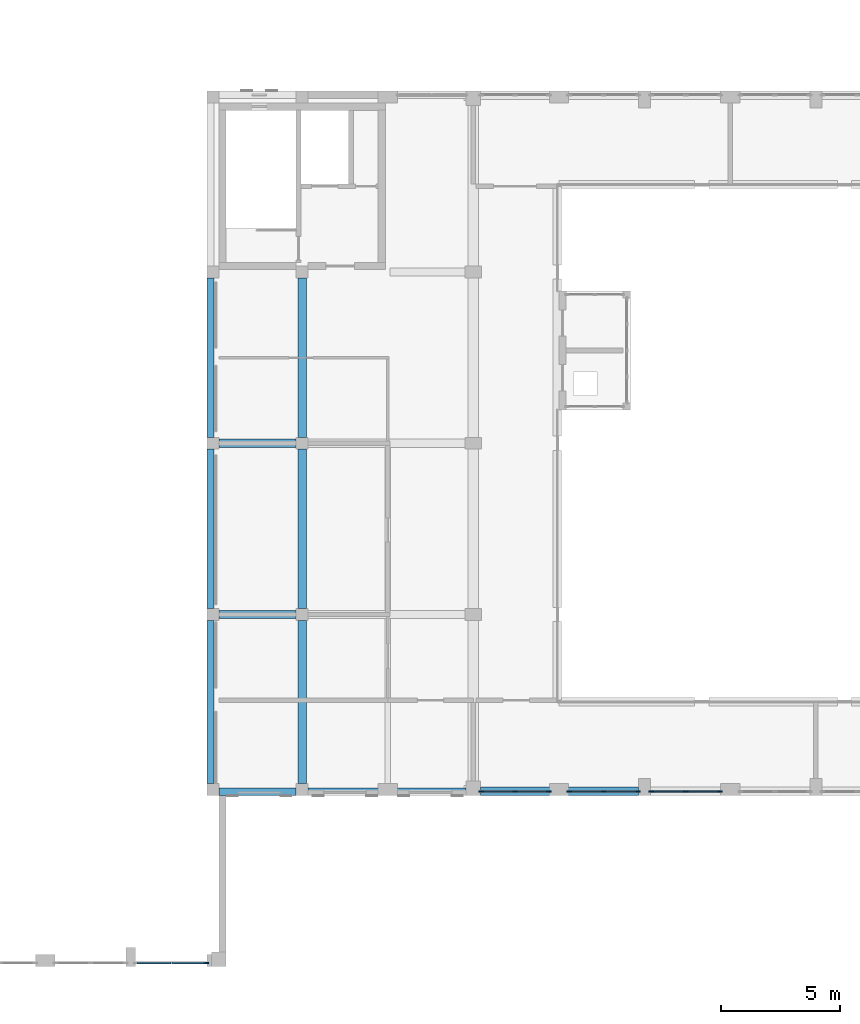
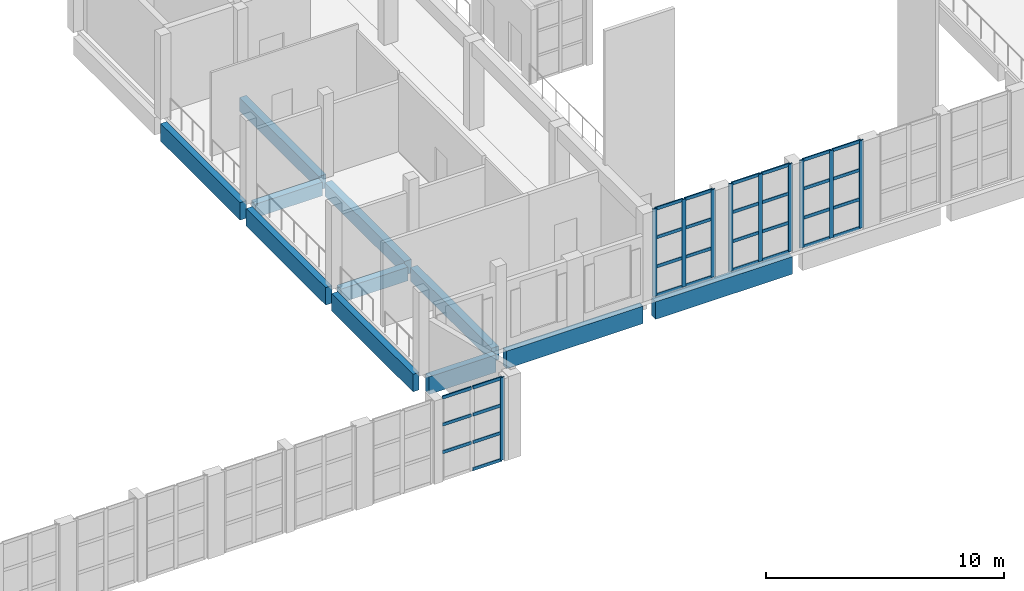
# One storey, part 4 of 54: 41 members, 11 beams, 4 elements without a shape of their own.
"""IFC4 building model written with IfcOpenShell, lengths in metres."""

from ifc_helpers import new_model, si_unit, direction, frame, origin, origin_2d, place, context, subcontext, project, spatial, rectangle, extrude, material, layer, layer_set, material_profile, profile_set, type_object, element, aggregate, save


model = new_model("IFC4")

# Units and contexts
model_context = context("Model", 3, precision=1e-05, world=origin(), true_north=direction((0.0, 1.0)))
body_context = subcontext(model_context, "Body", "Model", "MODEL_VIEW")
ifc_project = project(units=[si_unit("LENGTHUNIT", "METRE"), si_unit("AREAUNIT", "SQUARE_METRE"), si_unit("VOLUMEUNIT", "CUBIC_METRE"), si_unit("PLANEANGLEUNIT", "RADIAN"), si_unit("MASSUNIT", "GRAM", prefix="KILO")], contexts=[model_context])

# Site, building, storey
site_placement = place(None, origin())
site = spatial("IfcSite", under=ifc_project, at=site_placement, CompositionType="ELEMENT")
building_placement = place(site_placement, origin())
building = spatial("IfcBuilding", under=site, at=building_placement, Name="Ussher Court Research Institute", CompositionType="ELEMENT")
storey_placement = place(building_placement, frame((0.0, 0.0, 14.39990234375)))
storey = spatial("IfcBuildingStorey", under=building, at=storey_placement, Name="L03", CompositionType="ELEMENT", Elevation=14.39990234375)

# Curtain wall, member
ifc_material_1 = material(Name="Bronze anodised aluminium with low-e glass", Category="aluminium")
ifc_layer_1 = layer(ifc_material_1, 0.159912109375)
ifc_layer_set_1 = layer_set([ifc_layer_1], Name="Bronze anodised aluminium with low-e glass")
curtain_wall_type_1 = type_object("IfcCurtainWallType", Name="Curtain wall lecture theatre gable glazing", PredefinedType="NOTDEFINED", material=ifc_layer_set_1)
curtain_wall_1_placement = place(storey_placement, origin())
curtain_wall_1 = element("IfcCurtainWall", 1, at=curtain_wall_1_placement, inside=storey, type_object=curtain_wall_type_1, Name="Curtain wall CW5 L03", PredefinedType="NOTDEFINED")
ifc_material_2 = material(Name="Bronze anodised aluminium", Category="aluminium")
ifc_material_profile_1 = material_profile(ifc_material_2, rectangle(XDim=0.06005859375, YDim=0.199951171875, at=origin_2d()), Name="Mullion 60x200")
ifc_profile_set_1 = profile_set([ifc_material_profile_1], Name="Bronze anodised aluminium")
member_type_1 = type_object("IfcMemberType", Name="Mullion 60x200", PredefinedType="MULLION", material=ifc_profile_set_1)
member_1_placement = place(storey_placement, frame((27.77001953125, 3.75, 0.0), z_axis=(0.0, 0.0, 1.0), x_axis=(0.0, -1.0, 0.0)))
member_1 = element("IfcMember", 2, at=member_1_placement, type_object=member_type_1, Name="CW5 mullion 1", PredefinedType="MULLION", context=body_context, shape_type="SweptSolid", body=[
    extrude(rectangle(XDim=0.06005859375, YDim=0.199951171875, at=origin_2d()), origin(), (0.0, 0.0, 1.0), 4.25),
])

# Curtain wall, members
ifc_material_3 = material(Name="Bronze anodised aluminium with low-e glass", Category="aluminium")
ifc_layer_2 = layer(ifc_material_3, 0.159912109375)
ifc_layer_set_2 = layer_set([ifc_layer_2], Name="Bronze anodised aluminium with low-e glass")
curtain_wall_type_2 = type_object("IfcCurtainWallType", Name="Curtain wall atrium clerestory tall glazing", PredefinedType="NOTDEFINED", material=ifc_layer_set_2)
curtain_wall_2_placement = place(storey_placement, origin())
curtain_wall_2 = element("IfcCurtainWall", 3, at=curtain_wall_2_placement, inside=storey, type_object=curtain_wall_type_2, Name="Curtain wall CW3 L03", PredefinedType="NOTDEFINED")
member_2_placement = place(storey_placement, frame((49.3701171875, 10.949951171875, 0.0), z_axis=(0.0, 0.0, 1.0), x_axis=(0.0, -1.0, 0.0)))
member_2 = element("IfcMember", 4, at=member_2_placement, type_object=member_type_1, Name="CW3 mullion 1", PredefinedType="MULLION", context=body_context, shape_type="SweptSolid", body=[
    extrude(rectangle(XDim=0.06005859375, YDim=0.199951171875, at=origin_2d()), origin(), (0.0, 0.0, 1.0), 4.5),
])
member_3_placement = place(storey_placement, frame((47.925048828125, 10.949951171875, 0.0), z_axis=(0.0, 0.0, 1.0), x_axis=(0.0, -1.0, 0.0)))
member_3 = element("IfcMember", 5, at=member_3_placement, type_object=member_type_1, Name="CW3 mullion 2", PredefinedType="MULLION", context=body_context, shape_type="SweptSolid", body=[
    extrude(rectangle(XDim=0.06005859375, YDim=0.199951171875, at=origin_2d()), origin(), (0.0, 0.0, 1.0), 4.5),
])
member_4_placement = place(storey_placement, frame((46.47998046875, 10.949951171875, 0.0), z_axis=(0.0, 0.0, 1.0), x_axis=(0.0, -1.0, 0.0)))
member_4 = element("IfcMember", 6, at=member_4_placement, type_object=member_type_1, Name="CW3 mullion 3", PredefinedType="MULLION", context=body_context, shape_type="SweptSolid", body=[
    extrude(rectangle(XDim=0.06005859375, YDim=0.199951171875, at=origin_2d()), origin(), (0.0, 0.0, 1.0), 4.5),
])

curtain_wall_3_placement = place(storey_placement, origin())
curtain_wall_3 = element("IfcCurtainWall", 7, at=curtain_wall_3_placement, inside=storey, type_object=curtain_wall_type_2, Name="Curtain wall CW3 L03", PredefinedType="NOTDEFINED")
member_5_placement = place(storey_placement, frame((45.919921875, 10.949951171875, 0.0), z_axis=(0.0, 0.0, 1.0), x_axis=(0.0, -1.0, 0.0)))
member_5 = element("IfcMember", 8, at=member_5_placement, type_object=member_type_1, Name="CW3 mullion 1", PredefinedType="MULLION", context=body_context, shape_type="SweptSolid", body=[
    extrude(rectangle(XDim=0.06005859375, YDim=0.199951171875, at=origin_2d()), origin(), (0.0, 0.0, 1.0), 4.5),
])
member_6_placement = place(storey_placement, frame((44.47509765625, 10.949951171875, 0.0), z_axis=(0.0, 0.0, 1.0), x_axis=(0.0, -1.0, 0.0)))
member_6 = element("IfcMember", 9, at=member_6_placement, type_object=member_type_1, Name="CW3 mullion 2", PredefinedType="MULLION", context=body_context, shape_type="SweptSolid", body=[
    extrude(rectangle(XDim=0.06005859375, YDim=0.199951171875, at=origin_2d()), origin(), (0.0, 0.0, 1.0), 4.5),
])
member_7_placement = place(storey_placement, frame((43.030029296875, 10.949951171875, 0.0), z_axis=(0.0, 0.0, 1.0), x_axis=(0.0, -1.0, 0.0)))
member_7 = element("IfcMember", 10, at=member_7_placement, type_object=member_type_1, Name="CW3 mullion 3", PredefinedType="MULLION", context=body_context, shape_type="SweptSolid", body=[
    extrude(rectangle(XDim=0.06005859375, YDim=0.199951171875, at=origin_2d()), origin(), (0.0, 0.0, 1.0), 4.5),
])

curtain_wall_4_placement = place(storey_placement, origin())
curtain_wall_4 = element("IfcCurtainWall", 11, at=curtain_wall_4_placement, inside=storey, type_object=curtain_wall_type_2, Name="Curtain wall CW3 L03", PredefinedType="NOTDEFINED")
member_8_placement = place(storey_placement, frame((42.169921875, 10.949951171875, 0.0), z_axis=(0.0, 0.0, 1.0), x_axis=(0.0, -1.0, 0.0)))
member_8 = element("IfcMember", 12, at=member_8_placement, type_object=member_type_1, Name="CW3 mullion 1", PredefinedType="MULLION", context=body_context, shape_type="SweptSolid", body=[
    extrude(rectangle(XDim=0.06005859375, YDim=0.199951171875, at=origin_2d()), origin(), (0.0, 0.0, 1.0), 4.5),
])
member_9_placement = place(storey_placement, frame((40.75, 10.949951171875, 0.0), z_axis=(0.0, 0.0, 1.0), x_axis=(0.0, -1.0, 0.0)))
member_9 = element("IfcMember", 13, at=member_9_placement, type_object=member_type_1, Name="CW3 mullion 2", PredefinedType="MULLION", context=body_context, shape_type="SweptSolid", body=[
    extrude(rectangle(XDim=0.06005859375, YDim=0.199951171875, at=origin_2d()), origin(), (0.0, 0.0, 1.0), 4.5),
])
member_10_placement = place(storey_placement, frame((39.330078125, 10.949951171875, 0.0), z_axis=(0.0, 0.0, 1.0), x_axis=(0.0, -1.0, 0.0)))
member_10 = element("IfcMember", 14, at=member_10_placement, type_object=member_type_1, Name="CW3 mullion 3", PredefinedType="MULLION", context=body_context, shape_type="SweptSolid", body=[
    extrude(rectangle(XDim=0.06005859375, YDim=0.199951171875, at=origin_2d()), origin(), (0.0, 0.0, 1.0), 4.5),
])

# Beams
ifc_material_4 = material(Name="Concrete C35/45", Category="concrete")
ifc_material_profile_2 = material_profile(ifc_material_4, rectangle(XDim=0.300048828125, YDim=0.89990234375, at=origin_2d()), Name="RC 300x900")
ifc_profile_set_2 = profile_set([ifc_material_profile_2], Name="Concrete C35/45")
beam_type_1 = type_object("IfcBeamType", Name="RC 300x900 beam", PredefinedType="BEAM", material=ifc_profile_set_2)
beam_1_placement = place(storey_placement, frame((28.300048828125, 10.949951171875, -0.64990234375), z_axis=(1.0, 0.0, 0.0), x_axis=(0.0, 1.0, 0.0)))
element("IfcBeam", 15, at=beam_1_placement, inside=storey, type_object=beam_type_1, Name="SB2 V7 L03-01", PredefinedType="BEAM", context=body_context, shape_type="SweptSolid", body=[
    extrude(rectangle(XDim=0.300048828125, YDim=0.89990234375, at=origin_2d()), origin(), (0.0, 0.0, 1.0), 3.25),
])
beam_2_placement = place(storey_placement, frame((32.050048828125, 10.949951171875, -0.64990234375), z_axis=(1.0, 0.0, 0.0), x_axis=(0.0, 1.0, 0.0)))
element("IfcBeam", 16, at=beam_2_placement, inside=storey, type_object=beam_type_1, Name="SB2 V7 L03-02", PredefinedType="BEAM", context=body_context, shape_type="SweptSolid", body=[
    extrude(rectangle(XDim=0.300048828125, YDim=0.89990234375, at=origin_2d()), origin(), (0.0, 0.0, 1.0), 6.64990234375),
])
beam_3_placement = place(storey_placement, frame((27.949951171875, 11.300048828125, -0.64990234375), z_axis=(0.0, 1.0, 0.0), x_axis=(-1.0, 0.0, 0.0)))
element("IfcBeam", 17, at=beam_3_placement, inside=storey, type_object=beam_type_1, Name="SB2 V7 L03-11", PredefinedType="BEAM", context=body_context, shape_type="SweptSolid", body=[
    extrude(rectangle(XDim=0.300048828125, YDim=0.89990234375, at=origin_2d()), origin(), (0.0, 0.0, 1.0), 6.849853515625),
])
beam_4_placement = place(storey_placement, frame((27.949951171875, 18.64990234375, -0.64990234375), z_axis=(0.0, 1.0, 0.0), x_axis=(-1.0, 0.0, 0.0)))
element("IfcBeam", 18, at=beam_4_placement, inside=storey, type_object=beam_type_1, Name="SB2 V7 L03-12", PredefinedType="BEAM", context=body_context, shape_type="SweptSolid", body=[
    extrude(rectangle(XDim=0.300048828125, YDim=0.89990234375, at=origin_2d()), origin(), (0.0, 0.0, 1.0), 6.7001953125),
])
beam_5_placement = place(storey_placement, frame((27.949951171875, 25.85009765625, -0.64990234375), z_axis=(0.0, 1.0, 0.0), x_axis=(-1.0, 0.0, 0.0)))
element("IfcBeam", 19, at=beam_5_placement, inside=storey, type_object=beam_type_1, Name="SB2 V7 L03-13", PredefinedType="BEAM", context=body_context, shape_type="SweptSolid", body=[
    extrude(rectangle(XDim=0.300048828125, YDim=0.89990234375, at=origin_2d()), origin(), (0.0, 0.0, 1.0), 6.699951171875),
])
ifc_material_5 = material(Name="Concrete C35/45", Category="concrete")
ifc_material_profile_3 = material_profile(ifc_material_5, rectangle(XDim=0.35009765625, YDim=0.699951171875, at=origin_2d()), Name="RC 350x700")
ifc_profile_set_3 = profile_set([ifc_material_profile_3], Name="Concrete C35/45")
beam_type_2 = type_object("IfcBeamType", Name="RC 350x700 beam", PredefinedType="BEAM", material=ifc_profile_set_3)
for number, where, z_axis, x_axis, name in (
    (20, (28.300048828125, 18.39990234375, -0.5498046875), (1.0, 0.0, 0.0), (0.0, 1.0, 0.0), "B16 V7 L03-01"),
    (21, (28.300048828125, 25.60009765625, -0.5498046875), (1.0, 0.0, 0.0), (0.0, 1.0, 0.0), "B16 V7 L03-06"),
):
    element("IfcBeam", number, at=place(storey_placement, frame(where, z_axis=z_axis, x_axis=x_axis)), inside=storey, type_object=beam_type_2, Name=name, PredefinedType="BEAM", context=body_context, shape_type="SweptSolid", body=[
        extrude(rectangle(XDim=0.35009765625, YDim=0.699951171875, at=origin_2d()), origin(), (0.0, 0.0, 1.0), 3.25),
    ])
beam_6_placement = place(storey_placement, frame((31.800048828125, 11.300048828125, -0.5498046875), z_axis=(0.0, 1.0, 0.0), x_axis=(-1.0, 0.0, 0.0)))
element("IfcBeam", 22, at=beam_6_placement, inside=storey, type_object=beam_type_2, Name="B16 V7 L03-14", PredefinedType="BEAM", context=body_context, shape_type="SweptSolid", body=[
    extrude(rectangle(XDim=0.35009765625, YDim=0.699951171875, at=origin_2d()), origin(), (0.0, 0.0, 1.0), 6.849853515625),
])
beam_7_placement = place(storey_placement, frame((31.800048828125, 18.64990234375, -0.5498046875), z_axis=(0.0, 1.0, 0.0), x_axis=(-1.0, 0.0, 0.0)))
element("IfcBeam", 23, at=beam_7_placement, inside=storey, type_object=beam_type_2, Name="B16 V7 L03-15", PredefinedType="BEAM", context=body_context, shape_type="SweptSolid", body=[
    extrude(rectangle(XDim=0.35009765625, YDim=0.699951171875, at=origin_2d()), origin(), (0.0, 0.0, 1.0), 6.7001953125),
])
beam_8_placement = place(storey_placement, frame((31.800048828125, 25.85009765625, -0.5498046875), z_axis=(0.0, 1.0, 0.0), x_axis=(-1.0, 0.0, 0.0)))
element("IfcBeam", 24, at=beam_8_placement, inside=storey, type_object=beam_type_2, Name="B16 V7 L03-16", PredefinedType="BEAM", context=body_context, shape_type="SweptSolid", body=[
    extrude(rectangle(XDim=0.35009765625, YDim=0.699951171875, at=origin_2d()), origin(), (0.0, 0.0, 1.0), 6.699951171875),
])
ifc_material_6 = material(Name="Concrete C35/45", Category="concrete")
ifc_material_profile_4 = material_profile(ifc_material_6, rectangle(XDim=0.35009765625, YDim=0.89990234375, at=origin_2d()), Name="RC 350x900")
ifc_profile_set_4 = profile_set([ifc_material_profile_4], Name="Concrete C35/45")
beam_type_3 = type_object("IfcBeamType", Name="RC 350x900 beam", PredefinedType="BEAM", material=ifc_profile_set_4)
beam_9_placement = place(storey_placement, frame((39.300048828125, 10.97509765625, -0.64990234375), z_axis=(1.0, 0.0, 0.0), x_axis=(0.0, 1.0, 0.0)))
element("IfcBeam", 25, at=beam_9_placement, inside=storey, type_object=beam_type_3, Name="SB1 V2 L03-01", PredefinedType="BEAM", context=body_context, shape_type="SweptSolid", body=[
    extrude(rectangle(XDim=0.35009765625, YDim=0.89990234375, at=origin_2d()), origin(), (0.0, 0.0, 1.0), 6.64990234375),
])

# Member
ifc_material_7 = material(Name="Bronze anodised aluminium", Category="aluminium")
ifc_material_profile_5 = material_profile(ifc_material_7, rectangle(XDim=0.06005859375, YDim=0.159912109375, at=origin_2d()), Name="Transom 60x160")
ifc_profile_set_5 = profile_set([ifc_material_profile_5], Name="Bronze anodised aluminium")
member_type_2 = type_object("IfcMemberType", Name="Transom 60x160", PredefinedType="USERDEFINED", material=ifc_profile_set_5)
member_11_placement = place(storey_placement, frame((27.739990234375, 3.75, 0.030029296875), z_axis=(-1.0, 0.0, 0.0), x_axis=(0.0, -1.0, 0.0)))
member_11 = element("IfcMember", 26, at=member_11_placement, type_object=member_type_2, Name="CW5 transom 1.1", ObjectType="TRANSOM", PredefinedType="USERDEFINED", context=body_context, shape_type="SweptSolid", body=[
    extrude(rectangle(XDim=0.06005859375, YDim=0.159912109375, at=origin_2d()), origin(), (0.0, 0.0, 1.0), 1.409912109375),
])

member_12_placement = place(storey_placement, frame((27.739990234375, 3.75, 1.416748046875), z_axis=(-1.0, 0.0, 0.0), x_axis=(0.0, -1.0, 0.0)))
member_12 = element("IfcMember", 27, at=member_12_placement, type_object=member_type_2, Name="CW5 transom 1.2", ObjectType="TRANSOM", PredefinedType="USERDEFINED", context=body_context, shape_type="SweptSolid", body=[
    extrude(rectangle(XDim=0.06005859375, YDim=0.159912109375, at=origin_2d()), origin(), (0.0, 0.0, 1.0), 1.409912109375),
])

member_13_placement = place(storey_placement, frame((27.739990234375, 3.75, 2.83349609375), z_axis=(-1.0, 0.0, 0.0), x_axis=(0.0, -1.0, 0.0)))
member_13 = element("IfcMember", 28, at=member_13_placement, type_object=member_type_2, Name="CW5 transom 1.3", ObjectType="TRANSOM", PredefinedType="USERDEFINED", context=body_context, shape_type="SweptSolid", body=[
    extrude(rectangle(XDim=0.06005859375, YDim=0.159912109375, at=origin_2d()), origin(), (0.0, 0.0, 1.0), 1.409912109375),
])

member_14_placement = place(storey_placement, frame((27.739990234375, 3.75, 4.22021484375), z_axis=(-1.0, 0.0, 0.0), x_axis=(0.0, -1.0, 0.0)))
member_14 = element("IfcMember", 29, at=member_14_placement, type_object=member_type_2, Name="CW5 transom 1.4", ObjectType="TRANSOM", PredefinedType="USERDEFINED", context=body_context, shape_type="SweptSolid", body=[
    extrude(rectangle(XDim=0.06005859375, YDim=0.159912109375, at=origin_2d()), origin(), (0.0, 0.0, 1.0), 1.409912109375),
])

member_15_placement = place(storey_placement, frame((26.27001953125, 3.75, 1.416748046875), z_axis=(-1.0, 0.0, 0.0), x_axis=(0.0, -1.0, 0.0)))
member_15 = element("IfcMember", 30, at=member_15_placement, type_object=member_type_2, Name="CW5 transom 2.2", ObjectType="TRANSOM", PredefinedType="USERDEFINED", context=body_context, shape_type="SweptSolid", body=[
    extrude(rectangle(XDim=0.06005859375, YDim=0.159912109375, at=origin_2d()), origin(), (0.0, 0.0, 1.0), 1.409912109375),
])

member_16_placement = place(storey_placement, frame((26.27001953125, 3.75, 2.83349609375), z_axis=(-1.0, 0.0, 0.0), x_axis=(0.0, -1.0, 0.0)))
member_16 = element("IfcMember", 31, at=member_16_placement, type_object=member_type_2, Name="CW5 transom 2.3", ObjectType="TRANSOM", PredefinedType="USERDEFINED", context=body_context, shape_type="SweptSolid", body=[
    extrude(rectangle(XDim=0.06005859375, YDim=0.159912109375, at=origin_2d()), origin(), (0.0, 0.0, 1.0), 1.409912109375),
])

member_17_placement = place(storey_placement, frame((26.27001953125, 3.75, 4.22021484375), z_axis=(-1.0, 0.0, 0.0), x_axis=(0.0, -1.0, 0.0)))
member_17 = element("IfcMember", 32, at=member_17_placement, type_object=member_type_2, Name="CW5 transom 2.4", ObjectType="TRANSOM", PredefinedType="USERDEFINED", context=body_context, shape_type="SweptSolid", body=[
    extrude(rectangle(XDim=0.06005859375, YDim=0.159912109375, at=origin_2d()), origin(), (0.0, 0.0, 1.0), 1.409912109375),
])

aggregate(curtain_wall_1, [member_1, member_11, member_12, member_13, member_14, member_15, member_16, member_17])

member_18_placement = place(storey_placement, frame((49.340087890625, 10.949951171875, 0.030029296875), z_axis=(-1.0, 0.0, 0.0), x_axis=(0.0, -1.0, 0.0)))
member_18 = element("IfcMember", 33, at=member_18_placement, type_object=member_type_2, Name="CW3 transom 1.1", ObjectType="TRANSOM", PredefinedType="USERDEFINED", context=body_context, shape_type="SweptSolid", body=[
    extrude(rectangle(XDim=0.06005859375, YDim=0.159912109375, at=origin_2d()), origin(), (0.0, 0.0, 1.0), 1.385009765625),
])

member_19_placement = place(storey_placement, frame((49.340087890625, 10.949951171875, 1.5), z_axis=(-1.0, 0.0, 0.0), x_axis=(0.0, -1.0, 0.0)))
member_19 = element("IfcMember", 34, at=member_19_placement, type_object=member_type_2, Name="CW3 transom 1.2", ObjectType="TRANSOM", PredefinedType="USERDEFINED", context=body_context, shape_type="SweptSolid", body=[
    extrude(rectangle(XDim=0.06005859375, YDim=0.159912109375, at=origin_2d()), origin(), (0.0, 0.0, 1.0), 1.385009765625),
])

member_20_placement = place(storey_placement, frame((49.340087890625, 10.949951171875, 3.0), z_axis=(-1.0, 0.0, 0.0), x_axis=(0.0, -1.0, 0.0)))
member_20 = element("IfcMember", 35, at=member_20_placement, type_object=member_type_2, Name="CW3 transom 1.3", ObjectType="TRANSOM", PredefinedType="USERDEFINED", context=body_context, shape_type="SweptSolid", body=[
    extrude(rectangle(XDim=0.06005859375, YDim=0.159912109375, at=origin_2d()), origin(), (0.0, 0.0, 1.0), 1.385009765625),
])

member_21_placement = place(storey_placement, frame((49.340087890625, 10.949951171875, 4.47021484375), z_axis=(-1.0, 0.0, 0.0), x_axis=(0.0, -1.0, 0.0)))
member_21 = element("IfcMember", 36, at=member_21_placement, type_object=member_type_2, Name="CW3 transom 1.4", ObjectType="TRANSOM", PredefinedType="USERDEFINED", context=body_context, shape_type="SweptSolid", body=[
    extrude(rectangle(XDim=0.06005859375, YDim=0.159912109375, at=origin_2d()), origin(), (0.0, 0.0, 1.0), 1.385009765625),
])

member_22_placement = place(storey_placement, frame((47.89501953125, 10.949951171875, 0.030029296875), z_axis=(-1.0, 0.0, 0.0), x_axis=(0.0, -1.0, 0.0)))
member_22 = element("IfcMember", 37, at=member_22_placement, type_object=member_type_2, Name="CW3 transom 2.1", ObjectType="TRANSOM", PredefinedType="USERDEFINED", context=body_context, shape_type="SweptSolid", body=[
    extrude(rectangle(XDim=0.06005859375, YDim=0.159912109375, at=origin_2d()), origin(), (0.0, 0.0, 1.0), 1.385009765625),
])

member_23_placement = place(storey_placement, frame((47.89501953125, 10.949951171875, 1.5), z_axis=(-1.0, 0.0, 0.0), x_axis=(0.0, -1.0, 0.0)))
member_23 = element("IfcMember", 38, at=member_23_placement, type_object=member_type_2, Name="CW3 transom 2.2", ObjectType="TRANSOM", PredefinedType="USERDEFINED", context=body_context, shape_type="SweptSolid", body=[
    extrude(rectangle(XDim=0.06005859375, YDim=0.159912109375, at=origin_2d()), origin(), (0.0, 0.0, 1.0), 1.385009765625),
])

member_24_placement = place(storey_placement, frame((47.89501953125, 10.949951171875, 3.0), z_axis=(-1.0, 0.0, 0.0), x_axis=(0.0, -1.0, 0.0)))
member_24 = element("IfcMember", 39, at=member_24_placement, type_object=member_type_2, Name="CW3 transom 2.3", ObjectType="TRANSOM", PredefinedType="USERDEFINED", context=body_context, shape_type="SweptSolid", body=[
    extrude(rectangle(XDim=0.06005859375, YDim=0.159912109375, at=origin_2d()), origin(), (0.0, 0.0, 1.0), 1.385009765625),
])

member_25_placement = place(storey_placement, frame((47.89501953125, 10.949951171875, 4.47021484375), z_axis=(-1.0, 0.0, 0.0), x_axis=(0.0, -1.0, 0.0)))
member_25 = element("IfcMember", 40, at=member_25_placement, type_object=member_type_2, Name="CW3 transom 2.4", ObjectType="TRANSOM", PredefinedType="USERDEFINED", context=body_context, shape_type="SweptSolid", body=[
    extrude(rectangle(XDim=0.06005859375, YDim=0.159912109375, at=origin_2d()), origin(), (0.0, 0.0, 1.0), 1.385009765625),
])

aggregate(curtain_wall_2, [member_2, member_3, member_4, member_18, member_19, member_20, member_21, member_22, member_23, member_24, member_25])

member_26_placement = place(storey_placement, frame((45.889892578125, 10.949951171875, 0.030029296875), z_axis=(-1.0, 0.0, 0.0), x_axis=(0.0, -1.0, 0.0)))
member_26 = element("IfcMember", 41, at=member_26_placement, type_object=member_type_2, Name="CW3 transom 1.1", ObjectType="TRANSOM", PredefinedType="USERDEFINED", context=body_context, shape_type="SweptSolid", body=[
    extrude(rectangle(XDim=0.06005859375, YDim=0.159912109375, at=origin_2d()), origin(), (0.0, 0.0, 1.0), 1.385009765625),
])

member_27_placement = place(storey_placement, frame((45.889892578125, 10.949951171875, 1.5), z_axis=(-1.0, 0.0, 0.0), x_axis=(0.0, -1.0, 0.0)))
member_27 = element("IfcMember", 42, at=member_27_placement, type_object=member_type_2, Name="CW3 transom 1.2", ObjectType="TRANSOM", PredefinedType="USERDEFINED", context=body_context, shape_type="SweptSolid", body=[
    extrude(rectangle(XDim=0.06005859375, YDim=0.159912109375, at=origin_2d()), origin(), (0.0, 0.0, 1.0), 1.385009765625),
])

member_28_placement = place(storey_placement, frame((45.889892578125, 10.949951171875, 3.0), z_axis=(-1.0, 0.0, 0.0), x_axis=(0.0, -1.0, 0.0)))
member_28 = element("IfcMember", 43, at=member_28_placement, type_object=member_type_2, Name="CW3 transom 1.3", ObjectType="TRANSOM", PredefinedType="USERDEFINED", context=body_context, shape_type="SweptSolid", body=[
    extrude(rectangle(XDim=0.06005859375, YDim=0.159912109375, at=origin_2d()), origin(), (0.0, 0.0, 1.0), 1.385009765625),
])

member_29_placement = place(storey_placement, frame((45.889892578125, 10.949951171875, 4.47021484375), z_axis=(-1.0, 0.0, 0.0), x_axis=(0.0, -1.0, 0.0)))
member_29 = element("IfcMember", 44, at=member_29_placement, type_object=member_type_2, Name="CW3 transom 1.4", ObjectType="TRANSOM", PredefinedType="USERDEFINED", context=body_context, shape_type="SweptSolid", body=[
    extrude(rectangle(XDim=0.06005859375, YDim=0.159912109375, at=origin_2d()), origin(), (0.0, 0.0, 1.0), 1.385009765625),
])

member_30_placement = place(storey_placement, frame((44.445068359375, 10.949951171875, 0.030029296875), z_axis=(-1.0, 0.0, 0.0), x_axis=(0.0, -1.0, 0.0)))
member_30 = element("IfcMember", 45, at=member_30_placement, type_object=member_type_2, Name="CW3 transom 2.1", ObjectType="TRANSOM", PredefinedType="USERDEFINED", context=body_context, shape_type="SweptSolid", body=[
    extrude(rectangle(XDim=0.06005859375, YDim=0.159912109375, at=origin_2d()), origin(), (0.0, 0.0, 1.0), 1.385009765625),
])

member_31_placement = place(storey_placement, frame((44.445068359375, 10.949951171875, 1.5), z_axis=(-1.0, 0.0, 0.0), x_axis=(0.0, -1.0, 0.0)))
member_31 = element("IfcMember", 46, at=member_31_placement, type_object=member_type_2, Name="CW3 transom 2.2", ObjectType="TRANSOM", PredefinedType="USERDEFINED", context=body_context, shape_type="SweptSolid", body=[
    extrude(rectangle(XDim=0.06005859375, YDim=0.159912109375, at=origin_2d()), origin(), (0.0, 0.0, 1.0), 1.385009765625),
])

member_32_placement = place(storey_placement, frame((44.445068359375, 10.949951171875, 3.0), z_axis=(-1.0, 0.0, 0.0), x_axis=(0.0, -1.0, 0.0)))
member_32 = element("IfcMember", 47, at=member_32_placement, type_object=member_type_2, Name="CW3 transom 2.3", ObjectType="TRANSOM", PredefinedType="USERDEFINED", context=body_context, shape_type="SweptSolid", body=[
    extrude(rectangle(XDim=0.06005859375, YDim=0.159912109375, at=origin_2d()), origin(), (0.0, 0.0, 1.0), 1.385009765625),
])

member_33_placement = place(storey_placement, frame((44.445068359375, 10.949951171875, 4.47021484375), z_axis=(-1.0, 0.0, 0.0), x_axis=(0.0, -1.0, 0.0)))
member_33 = element("IfcMember", 48, at=member_33_placement, type_object=member_type_2, Name="CW3 transom 2.4", ObjectType="TRANSOM", PredefinedType="USERDEFINED", context=body_context, shape_type="SweptSolid", body=[
    extrude(rectangle(XDim=0.06005859375, YDim=0.159912109375, at=origin_2d()), origin(), (0.0, 0.0, 1.0), 1.385009765625),
])

aggregate(curtain_wall_3, [member_5, member_6, member_7, member_26, member_27, member_28, member_29, member_30, member_31, member_32, member_33])

member_34_placement = place(storey_placement, frame((42.139892578125, 10.949951171875, 0.030029296875), z_axis=(-1.0, 0.0, 0.0), x_axis=(0.0, -1.0, 0.0)))
member_34 = element("IfcMember", 49, at=member_34_placement, type_object=member_type_2, Name="CW3 transom 1.1", ObjectType="TRANSOM", PredefinedType="USERDEFINED", context=body_context, shape_type="SweptSolid", body=[
    extrude(rectangle(XDim=0.06005859375, YDim=0.159912109375, at=origin_2d()), origin(), (0.0, 0.0, 1.0), 1.35986328125),
])

member_35_placement = place(storey_placement, frame((42.139892578125, 10.949951171875, 1.5), z_axis=(-1.0, 0.0, 0.0), x_axis=(0.0, -1.0, 0.0)))
member_35 = element("IfcMember", 50, at=member_35_placement, type_object=member_type_2, Name="CW3 transom 1.2", ObjectType="TRANSOM", PredefinedType="USERDEFINED", context=body_context, shape_type="SweptSolid", body=[
    extrude(rectangle(XDim=0.06005859375, YDim=0.159912109375, at=origin_2d()), origin(), (0.0, 0.0, 1.0), 1.35986328125),
])

member_36_placement = place(storey_placement, frame((42.139892578125, 10.949951171875, 3.0), z_axis=(-1.0, 0.0, 0.0), x_axis=(0.0, -1.0, 0.0)))
member_36 = element("IfcMember", 51, at=member_36_placement, type_object=member_type_2, Name="CW3 transom 1.3", ObjectType="TRANSOM", PredefinedType="USERDEFINED", context=body_context, shape_type="SweptSolid", body=[
    extrude(rectangle(XDim=0.06005859375, YDim=0.159912109375, at=origin_2d()), origin(), (0.0, 0.0, 1.0), 1.35986328125),
])

member_37_placement = place(storey_placement, frame((42.139892578125, 10.949951171875, 4.47021484375), z_axis=(-1.0, 0.0, 0.0), x_axis=(0.0, -1.0, 0.0)))
member_37 = element("IfcMember", 52, at=member_37_placement, type_object=member_type_2, Name="CW3 transom 1.4", ObjectType="TRANSOM", PredefinedType="USERDEFINED", context=body_context, shape_type="SweptSolid", body=[
    extrude(rectangle(XDim=0.06005859375, YDim=0.159912109375, at=origin_2d()), origin(), (0.0, 0.0, 1.0), 1.35986328125),
])

member_38_placement = place(storey_placement, frame((40.719970703125, 10.949951171875, 0.030029296875), z_axis=(-1.0, 0.0, 0.0), x_axis=(0.0, -1.0, 0.0)))
member_38 = element("IfcMember", 53, at=member_38_placement, type_object=member_type_2, Name="CW3 transom 2.1", ObjectType="TRANSOM", PredefinedType="USERDEFINED", context=body_context, shape_type="SweptSolid", body=[
    extrude(rectangle(XDim=0.06005859375, YDim=0.159912109375, at=origin_2d()), origin(), (0.0, 0.0, 1.0), 1.35986328125),
])

member_39_placement = place(storey_placement, frame((40.719970703125, 10.949951171875, 1.5), z_axis=(-1.0, 0.0, 0.0), x_axis=(0.0, -1.0, 0.0)))
member_39 = element("IfcMember", 54, at=member_39_placement, type_object=member_type_2, Name="CW3 transom 2.2", ObjectType="TRANSOM", PredefinedType="USERDEFINED", context=body_context, shape_type="SweptSolid", body=[
    extrude(rectangle(XDim=0.06005859375, YDim=0.159912109375, at=origin_2d()), origin(), (0.0, 0.0, 1.0), 1.35986328125),
])

member_40_placement = place(storey_placement, frame((40.719970703125, 10.949951171875, 3.0), z_axis=(-1.0, 0.0, 0.0), x_axis=(0.0, -1.0, 0.0)))
member_40 = element("IfcMember", 55, at=member_40_placement, type_object=member_type_2, Name="CW3 transom 2.3", ObjectType="TRANSOM", PredefinedType="USERDEFINED", context=body_context, shape_type="SweptSolid", body=[
    extrude(rectangle(XDim=0.06005859375, YDim=0.159912109375, at=origin_2d()), origin(), (0.0, 0.0, 1.0), 1.35986328125),
])

member_41_placement = place(storey_placement, frame((40.719970703125, 10.949951171875, 4.47021484375), z_axis=(-1.0, 0.0, 0.0), x_axis=(0.0, -1.0, 0.0)))
member_41 = element("IfcMember", 56, at=member_41_placement, type_object=member_type_2, Name="CW3 transom 2.4", ObjectType="TRANSOM", PredefinedType="USERDEFINED", context=body_context, shape_type="SweptSolid", body=[
    extrude(rectangle(XDim=0.06005859375, YDim=0.159912109375, at=origin_2d()), origin(), (0.0, 0.0, 1.0), 1.35986328125),
])

aggregate(curtain_wall_4, [member_8, member_9, member_10, member_34, member_35, member_36, member_37, member_38, member_39, member_40, member_41])

save(model, "model.ifc")
